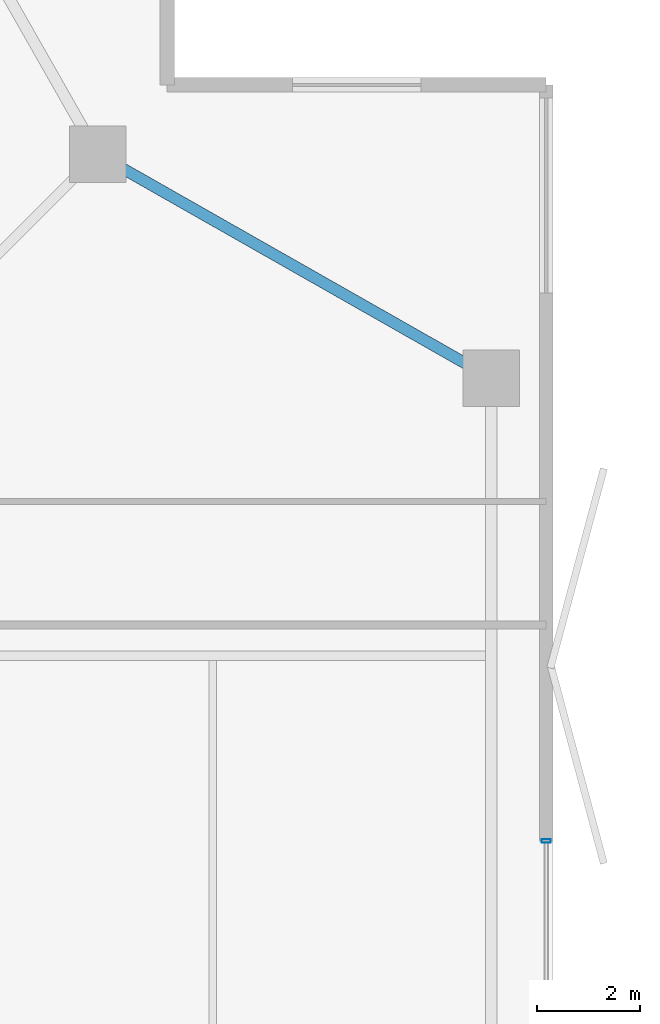
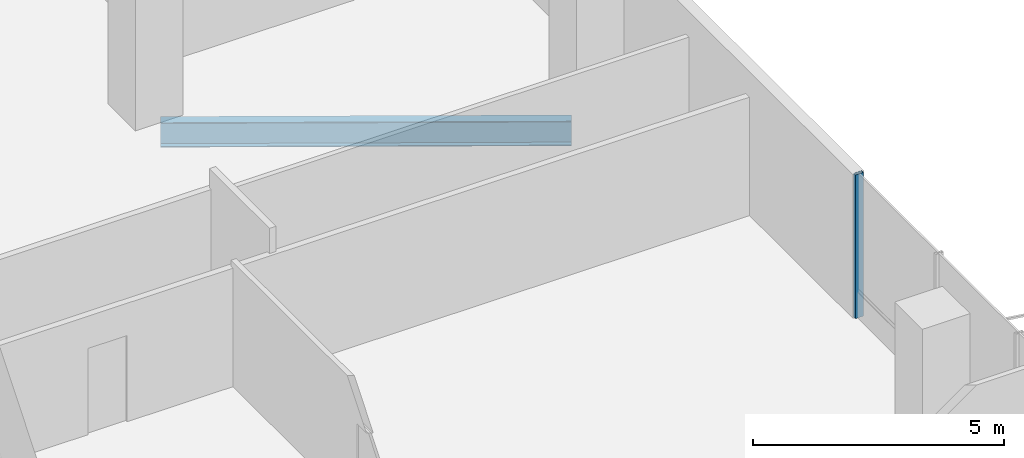
# One storey, part 13 of 23: 1 beam, 1 member, 1 element without a shape of its own.
"""IFC4 building model written with IfcOpenShell, lengths in metres."""

from ifc_helpers import new_model, si_unit, direction, frame, origin, origin_2d, place, context, subcontext, project, spatial, hollow_rectangle, i_section, extrude, material, layer, layer_set, material_profile, profile_set, type_object, element, aggregate, save


model = new_model("IFC4")

# Units and contexts
model_context = context("Model", 3, precision=1e-05, world=origin(), true_north=direction((0.0, 1.0)))
body_context = subcontext(model_context, "Body", "Model", "MODEL_VIEW")
ifc_project = project(units=[si_unit("LENGTHUNIT", "METRE"), si_unit("AREAUNIT", "SQUARE_METRE"), si_unit("VOLUMEUNIT", "CUBIC_METRE"), si_unit("PLANEANGLEUNIT", "RADIAN"), si_unit("MASSUNIT", "GRAM", prefix="KILO")], contexts=[model_context])

# Site, building, storey
site_placement = place(None, origin())
site = spatial("IfcSite", under=ifc_project, at=site_placement, CompositionType="ELEMENT")
building_placement = place(site_placement, origin())
building = spatial("IfcBuilding", under=site, at=building_placement, Name="Belovzor Exchange Tower", CompositionType="ELEMENT")
storey_placement = place(building_placement, frame((0.0, 0.0, 229.949951171875)))
storey = spatial("IfcBuildingStorey", under=building, at=storey_placement, Name="L57", CompositionType="ELEMENT", Elevation=229.949951171875)

# Curtain wall, member
ifc_material_1 = material(Name="Anodised Aluminium Framing", Category="aluminium")
ifc_layer = layer(ifc_material_1, 0.179931640625)
ifc_layer_set = layer_set([ifc_layer], Name="Anodised Aluminium Framing")
curtain_wall_type = type_object("IfcCurtainWallType", Name="Recessed Loggia Low-Iron Triple-Glazed Curtain Wall", PredefinedType="NOTDEFINED", material=ifc_layer_set)
curtain_wall_placement = place(storey_placement, origin())
curtain_wall = element("IfcCurtainWall", 1, at=curtain_wall_placement, inside=storey, type_object=curtain_wall_type, Name="CW3 Recessed Loggia Low-Iron Triple-Glazed Curtain Wall L57", PredefinedType="NOTDEFINED")
ifc_material_2 = material(Name="Steel S355", Category="steel")
ifc_material_profile_1 = material_profile(ifc_material_2, hollow_rectangle(XDim=0.074951171875, YDim=0.179931640625, WallThickness=0.0048828125, at=origin_2d()))
ifc_profile_set_1 = profile_set([ifc_material_profile_1], Name="Steel S355")
member_type = type_object("IfcMemberType", Name="Thermally Broken Curtain Wall Mullion 180x75", PredefinedType="MULLION", material=ifc_profile_set_1)
member_placement = place(storey_placement, frame((55.669921875, 33.60009765625, 0.0), z_axis=(0.0, 0.0, 1.0), x_axis=(0.0, -1.0, 0.0)))
member = element("IfcMember", 2, at=member_placement, type_object=member_type, Name="CW-M180 Curtain Wall Mullion 1", PredefinedType="MULLION", context=body_context, shape_type="SweptSolid", body=[
    extrude(hollow_rectangle(XDim=0.074951171875, YDim=0.179931640625, WallThickness=0.0048828125, at=origin_2d()), origin(), (0.0, 0.0, 1.0), 3.5),
])
aggregate(curtain_wall, [member])

# Beam
ifc_material_3 = material(Name="Steel S355", Category="steel")
ifc_material_profile_2 = material_profile(ifc_material_3, i_section(OverallWidth=0.219970703125, OverallDepth=0.60009765625, WebThickness=0.011962890625, FlangeThickness=0.01904296875, at=origin_2d()))
ifc_profile_set_2 = profile_set([ifc_material_profile_2], Name="Steel S355")
beam_type = type_object("IfcBeamType", Name="Zone 4 Flare Primary Girder IPE 600", PredefinedType="BEAM", material=ifc_profile_set_2)
beam_placement = place(storey_placement, frame((54.3369140625, 42.75, -0.550048828125), z_axis=(-0.869335547884, 0.494222323641, 0.0), x_axis=(-0.494222323641, -0.869335547884, 0.0)))
element("IfcBeam", 3, at=beam_placement, inside=storey, type_object=beam_type, Name="FG-Z4 Zone 4 Flare Primary Girder IPE 600", PredefinedType="BEAM", context=body_context, shape_type="SweptSolid", body=[
    extrude(i_section(OverallWidth=0.219970703125, OverallDepth=0.60009765625, WebThickness=0.011962890625, FlangeThickness=0.01904296875, at=origin_2d()), origin(), (0.0, 0.0, 1.0), 8.19482421875),
])

save(model, "model.ifc")
